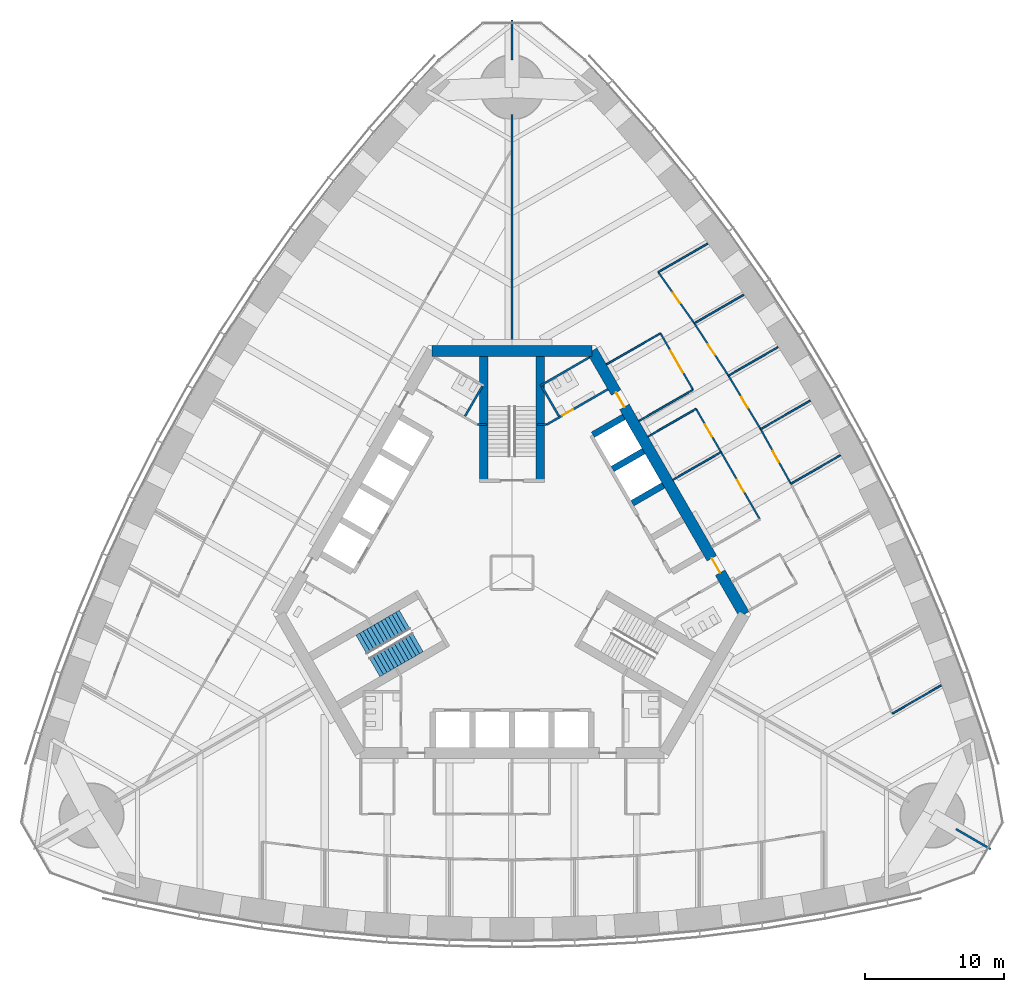
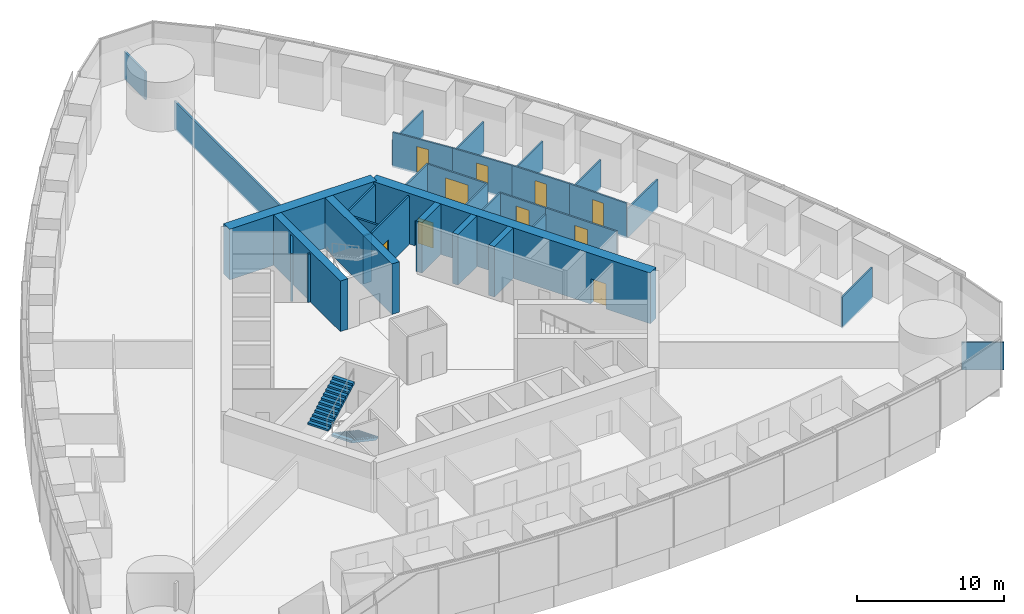
# One storey, part 14 of 20: 33 walls, 10 doors, 2 stair flights, 10 openings, 1 element without a shape of its own.
"""IFC4 building model written with IfcOpenShell, lengths in metres."""

from ifc_helpers import new_model, si_unit, direction, frame, frame_2d, origin, place, context, subcontext, project, spatial, polyline, rectangle, outline, extrude, material, layer, layer_set, type_object, element, fill, aggregate, save


model = new_model("IFC4")

# Units and contexts
model_context = context("Model", 3, precision=1e-05, world=origin(), true_north=direction((0.0, 1.0)))
body_context = subcontext(model_context, "Body", "Model", "MODEL_VIEW")
ifc_project = project(units=[si_unit("LENGTHUNIT", "METRE"), si_unit("AREAUNIT", "SQUARE_METRE"), si_unit("VOLUMEUNIT", "CUBIC_METRE"), si_unit("PLANEANGLEUNIT", "RADIAN"), si_unit("MASSUNIT", "GRAM", prefix="KILO")], contexts=[model_context])

# Site, building, storey
site_placement = place(None, origin())
site = spatial("IfcSite", under=ifc_project, at=site_placement, CompositionType="ELEMENT")
building_placement = place(site_placement, origin())
building = spatial("IfcBuilding", under=site, at=building_placement, Name="Trefoil Bronze Tower", CompositionType="ELEMENT")
storey_placement = place(building_placement, frame((0.0, 0.0, 103.10009765625)))
storey = spatial("IfcBuildingStorey", under=building, at=storey_placement, Name="L23", CompositionType="ELEMENT", Elevation=103.10009765625)

# Wall, openings, doors
ifc_material_1 = material(Name="Concrete B80", Category="concrete")
ifc_layer_1 = layer(ifc_material_1, 0.800048828125)
ifc_layer_set_1 = layer_set([ifc_layer_1], Name="Core wall 800")
wall_type_1 = type_object("IfcWallType", Name="Core wall 800", PredefinedType="SHEAR", material=ifc_layer_set_1)
wall_1_placement = place(storey_placement, frame((16.7431640625, -3.0, 0.0), z_axis=(0.0, 0.0, 1.0), x_axis=(-0.500002442456, 0.866023993627, 0.0)))
wall_1 = element("IfcWall", 1, at=wall_1_placement, inside=storey, type_object=wall_type_1, Name="Core long wall 2 L23", PredefinedType="SHEAR", context=body_context, shape_type="SweptSolid", body=[
    extrude(rectangle(XDim=21.939453125, YDim=0.800048828125, at=frame_2d((10.9697265625, 0.0))), origin(), (0.0, 0.0, 1.0), 4.199951171875),
])
opening_1_placement = place(wall_1_placement, frame((17.269775390625, 0.0, 0.0)))
opening_1 = element("IfcOpeningElement", 2, at=opening_1_placement, cuts=wall_1, Name="Opening D2", PredefinedType="OPENING", context=body_context, shape_type="SweptSolid", body=[
    extrude(rectangle(XDim=1.199951171875, YDim=2.10009765625, at=frame_2d((0.60009765625, 1.050048828125))), frame((0.0, 0.409912109375, 0.0), z_axis=(0.0, -1.0, 0.0), x_axis=(1.0, 0.0, 0.0)), (0.0, 0.0, 1.0), 0.820068359375),
])
opening_2_placement = place(wall_1_placement, frame((3.4697265625, 0.0, 0.0)))
opening_2 = element("IfcOpeningElement", 3, at=opening_2_placement, cuts=wall_1, Name="Opening D2", PredefinedType="OPENING", context=body_context, shape_type="SweptSolid", body=[
    extrude(rectangle(XDim=1.199951171875, YDim=2.10009765625, at=frame_2d((0.60009765625, 1.050048828125))), frame((0.0, 0.409912109375, 0.0), z_axis=(0.0, -1.0, 0.0), x_axis=(1.0, 0.0, 0.0)), (0.0, 0.0, 1.0), 0.820068359375),
])
ifc_material_2 = material(Name="Steel door", Category="steel")
door_type_1 = type_object("IfcDoorType", Name="Lobby door 1200", OperationType="SINGLE_SWING_RIGHT", PredefinedType="DOOR", material=ifc_material_2)
door_1_placement = place(opening_1_placement, origin())
door_1 = element("IfcDoor", 4, at=door_1_placement, inside=storey, type_object=door_type_1, Name="Lobby door F2+ L23", OperationType="SINGLE_SWING_RIGHT", OverallHeight=2.10009765625, OverallWidth=1.199951171875, PredefinedType="DOOR", context=body_context, shape_type="SweptSolid", body=[
    extrude(rectangle(XDim=1.199951171875, YDim=2.10009765625, at=frame_2d((0.60009765625, 1.050048828125))), frame((0.0, 0.02490234375, 0.0), z_axis=(0.0, -1.0, 0.0), x_axis=(1.0, 0.0, 0.0)), (0.0, 0.0, 1.0), 0.050048828125),
])
fill(opening_1, door_1)
door_2_placement = place(opening_2_placement, origin())
door_2 = element("IfcDoor", 5, at=door_2_placement, inside=storey, type_object=door_type_1, Name="Lobby door F2- L23", OperationType="SINGLE_SWING_LEFT", OverallHeight=2.10009765625, OverallWidth=1.199951171875, PredefinedType="DOOR", context=body_context, shape_type="SweptSolid", body=[
    extrude(rectangle(XDim=1.199951171875, YDim=2.10009765625, at=frame_2d((0.60009765625, 1.050048828125))), frame((0.0, 0.02490234375, 0.0), z_axis=(0.0, -1.0, 0.0), x_axis=(1.0, 0.0, 0.0)), (0.0, 0.0, 1.0), 0.050048828125),
])
fill(opening_2, door_2)

# Wall
wall_2_placement = place(storey_placement, frame((5.7734375, 16.0, 0.0), z_axis=(0.0, 0.0, 1.0), x_axis=(-1.0, 0.0, 0.0)))
element("IfcWall", 6, at=wall_2_placement, inside=storey, type_object=wall_type_1, Name="Core short wall 2 L23", PredefinedType="SHEAR", context=body_context, shape_type="SweptSolid", body=[
    extrude(rectangle(XDim=11.546875, YDim=0.800048828125, at=frame_2d((5.7734375, 0.0))), origin(), (0.0, 0.0, 1.0), 4.199951171875),
])

# Wall, opening, door
ifc_material_3 = material(Name="Glazed partition", Category="glass")
ifc_layer_2 = layer(ifc_material_3, 0.1201171875)
ifc_layer_set_2 = layer_set([ifc_layer_2], Name="Glazed partition 120")
wall_type_2 = type_object("IfcWallType", Name="Glazed partition 120", PredefinedType="PARTITIONING", material=ifc_layer_set_2)
wall_3_placement = place(storey_placement, frame((13.0517578125, 13.193603515625, 0.0), z_axis=(0.0, 0.0, 1.0), x_axis=(-0.499977259774, 0.866038532462, 0.0)))
wall_3 = element("IfcWall", 7, at=wall_3_placement, inside=storey, type_object=wall_type_2, Name="Partition F2 L23", PredefinedType="PARTITIONING", context=body_context, shape_type="SweptSolid", body=[
    extrude(rectangle(XDim=4.699951171875, YDim=0.1201171875, at=frame_2d((2.35009765625, 0.0))), origin(), (0.0, 0.0, 1.0), 2.89990234375),
])
opening_3_placement = place(wall_3_placement, frame((1.449951171875, 0.0, 0.14990234375)))
opening_3 = element("IfcOpeningElement", 8, at=opening_3_placement, cuts=wall_3, Name="Opening D10", PredefinedType="OPENING", context=body_context, shape_type="SweptSolid", body=[
    extrude(rectangle(XDim=1.800048828125, YDim=2.10009765625, at=frame_2d((0.89990234375, 1.050048828125))), frame((0.0, 0.070068359375, 0.0), z_axis=(0.0, -1.0, 0.0), x_axis=(1.0, 0.0, 0.0)), (0.0, 0.0, 1.0), 0.14013671875),
])
ifc_material_4 = material(Name="Timber door", Category="wood")
door_type_2 = type_object("IfcDoorType", Name="Double door 1800", OperationType="DOUBLE_DOOR_SINGLE_SWING", PredefinedType="DOOR", material=ifc_material_4)
door_3_placement = place(opening_3_placement, frame((1.800048828125, 0.0, 0.0), z_axis=(0.0, 0.0, 1.0), x_axis=(-1.0, 0.0, 0.0)))
door_3 = element("IfcDoor", 9, at=door_3_placement, inside=storey, type_object=door_type_2, Name="Reception door F2 L23", OperationType="DOUBLE_DOOR_SINGLE_SWING", OverallHeight=2.10009765625, OverallWidth=1.800048828125, PredefinedType="DOOR", context=body_context, shape_type="SweptSolid", body=[
    extrude(rectangle(XDim=1.800048828125, YDim=2.10009765625, at=frame_2d((0.89990234375, 1.050048828125))), frame((0.0, 0.02490234375, 0.0), z_axis=(0.0, -1.0, 0.0), x_axis=(1.0, 0.0, 0.0)), (0.0, 0.0, 1.0), 0.050048828125),
])
fill(opening_3, door_3)

wall_4_placement = place(storey_placement, frame((15.06884765625, 8.699951171875, 0.0), z_axis=(0.0, 0.0, 1.0), x_axis=(-0.500012057535, 0.866018442252, 0.0)))
wall_4 = element("IfcWall", 10, at=wall_4_placement, inside=storey, type_object=wall_type_2, Name="Partition F2 L23", PredefinedType="PARTITIONING", context=body_context, shape_type="SweptSolid", body=[
    extrude(rectangle(XDim=3.60009765625, YDim=0.1201171875, at=frame_2d((1.800048828125, 0.0))), origin(), (0.0, 0.0, 1.0), 2.89990234375),
])
opening_4_placement = place(wall_4_placement, frame((1.300048828125, 0.0, 0.14990234375)))
opening_4 = element("IfcOpeningElement", 11, at=opening_4_placement, cuts=wall_4, Name="Opening D9", PredefinedType="OPENING", context=body_context, shape_type="SweptSolid", body=[
    extrude(rectangle(XDim=1.0, YDim=2.10009765625, at=frame_2d((0.5, 1.050048828125))), frame((0.0, 0.070068359375, 0.0), z_axis=(0.0, -1.0, 0.0), x_axis=(1.0, 0.0, 0.0)), (0.0, 0.0, 1.0), 0.14013671875),
])
ifc_material_5 = material(Name="Glazed timber door", Category="wood")
door_type_3 = type_object("IfcDoorType", Name="Meeting room door 1000", OperationType="SINGLE_SWING_LEFT", PredefinedType="DOOR", material=ifc_material_5)
door_4_placement = place(opening_4_placement, origin())
door_4 = element("IfcDoor", 12, at=door_4_placement, inside=storey, type_object=door_type_3, Name="Meeting room door F2 L23", OperationType="SINGLE_SWING_LEFT", OverallHeight=2.10009765625, OverallWidth=1.0, PredefinedType="DOOR", context=body_context, shape_type="SweptSolid", body=[
    extrude(rectangle(XDim=1.0, YDim=2.10009765625, at=frame_2d((0.5, 1.050048828125))), frame((0.0, 0.02490234375, 0.0), z_axis=(0.0, -1.0, 0.0), x_axis=(1.0, 0.0, 0.0)), (0.0, 0.0, 1.0), 0.050048828125),
])
fill(opening_4, door_4)

wall_5_placement = place(storey_placement, frame((17.868896484375, 3.850341796875, 0.0), z_axis=(0.0, 0.0, 1.0), x_axis=(-0.500016814911, 0.866015695474, 0.0)))
wall_5 = element("IfcWall", 13, at=wall_5_placement, inside=storey, type_object=wall_type_2, Name="Partition F2 L23", PredefinedType="PARTITIONING", context=body_context, shape_type="SweptSolid", body=[
    extrude(rectangle(XDim=5.599853515625, YDim=0.1201171875, at=frame_2d((2.7998046875, 0.0))), origin(), (0.0, 0.0, 1.0), 2.89990234375),
])
opening_5_placement = place(wall_5_placement, frame((2.300048828125, 0.0, 0.14990234375)))
opening_5 = element("IfcOpeningElement", 14, at=opening_5_placement, cuts=wall_5, Name="Opening D9", PredefinedType="OPENING", context=body_context, shape_type="SweptSolid", body=[
    extrude(rectangle(XDim=1.0, YDim=2.10009765625, at=frame_2d((0.5, 1.050048828125))), frame((0.0, 0.070068359375, 0.0), z_axis=(0.0, -1.0, 0.0), x_axis=(1.0, 0.0, 0.0)), (0.0, 0.0, 1.0), 0.14013671875),
])
door_5_placement = place(opening_5_placement, origin())
door_5 = element("IfcDoor", 15, at=door_5_placement, inside=storey, type_object=door_type_3, Name="Meeting room door F2 L23", OperationType="SINGLE_SWING_RIGHT", OverallHeight=2.10009765625, OverallWidth=1.0, PredefinedType="DOOR", context=body_context, shape_type="SweptSolid", body=[
    extrude(rectangle(XDim=1.0, YDim=2.10009765625, at=frame_2d((0.5, 1.050048828125))), frame((0.0, 0.02490234375, 0.0), z_axis=(0.0, -1.0, 0.0), x_axis=(1.0, 0.0, 0.0)), (0.0, 0.0, 1.0), 0.050048828125),
])
fill(opening_5, door_5)

# Walls
wall_6_placement = place(storey_placement, frame((9.8046875, 9.817626953125, 0.0), z_axis=(0.0, 0.0, 1.0), x_axis=(0.866026010844, 0.49999894854, 0.0)))
element("IfcWall", 16, at=wall_6_placement, inside=storey, type_object=wall_type_2, Name="Partition F2 L23", PredefinedType="PARTITIONING", context=body_context, shape_type="SweptSolid", body=[
    extrude(rectangle(XDim=4.0, YDim=0.1201171875, at=frame_2d((2.0, 0.0))), origin(), (0.0, 0.0, 1.0), 2.89990234375),
])
wall_7_placement = place(storey_placement, frame((9.15478515625, 10.943603515625, 0.0), z_axis=(0.0, 0.0, 1.0), x_axis=(0.866017533419, 0.500013631625, 0.0)))
element("IfcWall", 17, at=wall_7_placement, inside=storey, type_object=wall_type_2, Name="Partition F2 L23", PredefinedType="PARTITIONING", context=body_context, shape_type="SweptSolid", body=[
    extrude(rectangle(XDim=4.499755859375, YDim=0.1201171875, at=frame_2d((2.25, 0.0))), origin(), (0.0, 0.0, 1.0), 2.89990234375),
])
wall_8_placement = place(storey_placement, frame((6.8046875, 15.013916015625, 0.0), z_axis=(0.0, 0.0, 1.0), x_axis=(0.866031096941, 0.499990139034, 0.0)))
element("IfcWall", 18, at=wall_8_placement, inside=storey, type_object=wall_type_2, Name="Partition F2 L23", PredefinedType="PARTITIONING", context=body_context, shape_type="SweptSolid", body=[
    extrude(rectangle(XDim=4.5, YDim=0.1201171875, at=frame_2d((2.25, 0.0))), origin(), (0.0, 0.0, 1.0), 2.89990234375),
])
wall_9_placement = place(storey_placement, frame((11.604736328125, 6.699951171875, 0.0), z_axis=(0.0, 0.0, 1.0), x_axis=(0.866026010844, 0.49999894854, 0.0)))
element("IfcWall", 19, at=wall_9_placement, inside=storey, type_object=wall_type_2, Name="Partition F2 L23", PredefinedType="PARTITIONING", context=body_context, shape_type="SweptSolid", body=[
    extrude(rectangle(XDim=4.0, YDim=0.1201171875, at=frame_2d((2.0, 0.0))), origin(), (0.0, 0.0, 1.0), 2.39990234375),
])

# Wall, opening, door
wall_10_placement = place(storey_placement, frame((17.926513671875, 10.349853515625, 0.0), z_axis=(0.0, 0.0, 1.0), x_axis=(-0.515548366618, 0.856860479703, 0.0)))
wall_10 = element("IfcWall", 20, at=wall_10_placement, inside=storey, type_object=wall_type_2, Name="Partition F2 L23", PredefinedType="PARTITIONING", context=body_context, shape_type="SweptSolid", body=[
    extrude(rectangle(XDim=4.500732421875, YDim=0.1201171875, at=frame_2d((2.25048828125, 0.0))), origin(), (0.0, 0.0, 1.0), 2.89990234375),
])
opening_6_placement = place(wall_10_placement, frame((1.800048828125, 0.0, 0.14990234375)))
opening_6 = element("IfcOpeningElement", 21, at=opening_6_placement, cuts=wall_10, Name="Opening D8", PredefinedType="OPENING", context=body_context, shape_type="SweptSolid", body=[
    extrude(rectangle(XDim=0.89990234375, YDim=2.10009765625, at=frame_2d((0.449951171875, 1.050048828125))), frame((0.0, 0.070068359375, 0.0), z_axis=(0.0, -1.0, 0.0), x_axis=(1.0, 0.0, 0.0)), (0.0, 0.0, 1.0), 0.14013671875),
])
ifc_material_6 = material(Name="Timber door", Category="wood")
door_type_4 = type_object("IfcDoorType", Name="Office door 900", OperationType="SINGLE_SWING_LEFT", PredefinedType="DOOR", material=ifc_material_6)
door_6_placement = place(opening_6_placement, frame((0.89990234375, 0.0, 0.0), z_axis=(0.0, 0.0, 1.0), x_axis=(-1.0, 0.0, 0.0)))
door_6 = element("IfcDoor", 22, at=door_6_placement, inside=storey, type_object=door_type_4, Name="Office door F2 L23", OperationType="SINGLE_SWING_RIGHT", OverallHeight=2.10009765625, OverallWidth=0.89990234375, PredefinedType="DOOR", context=body_context, shape_type="SweptSolid", body=[
    extrude(rectangle(XDim=0.89990234375, YDim=2.10009765625, at=frame_2d((0.449951171875, 1.050048828125))), frame((0.0, 0.02490234375, 0.0), z_axis=(0.0, -1.0, 0.0), x_axis=(1.0, 0.0, 0.0)), (0.0, 0.0, 1.0), 0.050048828125),
])
fill(opening_6, door_6)

wall_11_placement = place(storey_placement, frame((15.606201171875, 14.206298828125, 0.0), z_axis=(0.0, 0.0, 1.0), x_axis=(-0.546069464151, 0.837739900161, 0.0)))
wall_11 = element("IfcWall", 23, at=wall_11_placement, inside=storey, type_object=wall_type_2, Name="Partition F2 L23", PredefinedType="PARTITIONING", context=body_context, shape_type="SweptSolid", body=[
    extrude(rectangle(XDim=4.506591796875, YDim=0.1201171875, at=frame_2d((2.25341796875, 0.0))), origin(), (0.0, 0.0, 1.0), 2.89990234375),
])
opening_7_placement = place(wall_11_placement, frame((1.800048828125, 0.0, 0.14990234375)))
opening_7 = element("IfcOpeningElement", 24, at=opening_7_placement, cuts=wall_11, Name="Opening D8", PredefinedType="OPENING", context=body_context, shape_type="SweptSolid", body=[
    extrude(rectangle(XDim=0.89990234375, YDim=2.10009765625, at=frame_2d((0.449951171875, 1.050048828125))), frame((0.0, 0.070068359375, 0.0), z_axis=(0.0, -1.0, 0.0), x_axis=(1.0, 0.0, 0.0)), (0.0, 0.0, 1.0), 0.14013671875),
])
door_7_placement = place(opening_7_placement, frame((0.89990234375, 0.0, 0.0), z_axis=(0.0, 0.0, 1.0), x_axis=(-1.0, 0.0, 0.0)))
door_7 = element("IfcDoor", 25, at=door_7_placement, inside=storey, type_object=door_type_4, Name="Office door F2 L23", OperationType="SINGLE_SWING_RIGHT", OverallHeight=2.10009765625, OverallWidth=0.89990234375, PredefinedType="DOOR", context=body_context, shape_type="SweptSolid", body=[
    extrude(rectangle(XDim=0.89990234375, YDim=2.10009765625, at=frame_2d((0.449951171875, 1.050048828125))), frame((0.0, 0.02490234375, 0.0), z_axis=(0.0, -1.0, 0.0), x_axis=(1.0, 0.0, 0.0)), (0.0, 0.0, 1.0), 0.050048828125),
])
fill(opening_7, door_7)

wall_12_placement = place(storey_placement, frame((13.145263671875, 17.981689453125, 0.0), z_axis=(0.0, 0.0, 1.0), x_axis=(-0.575987178736, 0.817458726745, 0.0)))
wall_12 = element("IfcWall", 26, at=wall_12_placement, inside=storey, type_object=wall_type_2, Name="Partition F2 L23", PredefinedType="PARTITIONING", context=body_context, shape_type="SweptSolid", body=[
    extrude(rectangle(XDim=4.518310546875, YDim=0.1201171875, at=frame_2d((2.25927734375, 0.0))), origin(), (0.0, 0.0, 1.0), 2.89990234375),
])
opening_8_placement = place(wall_12_placement, frame((1.800048828125, 0.0, 0.14990234375)))
opening_8 = element("IfcOpeningElement", 27, at=opening_8_placement, cuts=wall_12, Name="Opening D8", PredefinedType="OPENING", context=body_context, shape_type="SweptSolid", body=[
    extrude(rectangle(XDim=0.89990234375, YDim=2.10009765625, at=frame_2d((0.449951171875, 1.050048828125))), frame((0.0, 0.070068359375, 0.0), z_axis=(0.0, -1.0, 0.0), x_axis=(1.0, 0.0, 0.0)), (0.0, 0.0, 1.0), 0.14013671875),
])
door_8_placement = place(opening_8_placement, frame((0.89990234375, 0.0, 0.0), z_axis=(0.0, 0.0, 1.0), x_axis=(-1.0, 0.0, 0.0)))
door_8 = element("IfcDoor", 28, at=door_8_placement, inside=storey, type_object=door_type_4, Name="Office door F2 L23", OperationType="SINGLE_SWING_RIGHT", OverallHeight=2.10009765625, OverallWidth=0.89990234375, PredefinedType="DOOR", context=body_context, shape_type="SweptSolid", body=[
    extrude(rectangle(XDim=0.89990234375, YDim=2.10009765625, at=frame_2d((0.449951171875, 1.050048828125))), frame((0.0, 0.02490234375, 0.0), z_axis=(0.0, -1.0, 0.0), x_axis=(1.0, 0.0, 0.0)), (0.0, 0.0, 1.0), 0.050048828125),
])
fill(opening_8, door_8)

wall_13_placement = place(storey_placement, frame((20.106201171875, 6.412109375, 0.0), z_axis=(0.0, 0.0, 1.0), x_axis=(-0.484292898211, 0.874905931368, 0.0)))
wall_13 = element("IfcWall", 29, at=wall_13_placement, inside=storey, type_object=wall_type_2, Name="Partition F2 L23", PredefinedType="PARTITIONING", context=body_context, shape_type="SweptSolid", body=[
    extrude(rectangle(XDim=4.500732421875, YDim=0.1201171875, at=frame_2d((2.25048828125, 0.0))), origin(), (0.0, 0.0, 1.0), 2.89990234375),
])
opening_9_placement = place(wall_13_placement, frame((1.800048828125, 0.0, 0.14990234375)))
opening_9 = element("IfcOpeningElement", 30, at=opening_9_placement, cuts=wall_13, Name="Opening D8", PredefinedType="OPENING", context=body_context, shape_type="SweptSolid", body=[
    extrude(rectangle(XDim=0.89990234375, YDim=2.10009765625, at=frame_2d((0.449951171875, 1.050048828125))), frame((0.0, 0.070068359375, 0.0), z_axis=(0.0, -1.0, 0.0), x_axis=(1.0, 0.0, 0.0)), (0.0, 0.0, 1.0), 0.14013671875),
])
door_9_placement = place(opening_9_placement, frame((0.89990234375, 0.0, 0.0), z_axis=(0.0, 0.0, 1.0), x_axis=(-1.0, 0.0, 0.0)))
door_9 = element("IfcDoor", 31, at=door_9_placement, inside=storey, type_object=door_type_4, Name="Office door F2 L23", OperationType="SINGLE_SWING_RIGHT", OverallHeight=2.10009765625, OverallWidth=0.89990234375, PredefinedType="DOOR", context=body_context, shape_type="SweptSolid", body=[
    extrude(rectangle(XDim=0.89990234375, YDim=2.10009765625, at=frame_2d((0.449951171875, 1.050048828125))), frame((0.0, 0.02490234375, 0.0), z_axis=(0.0, -1.0, 0.0), x_axis=(1.0, 0.0, 0.0)), (0.0, 0.0, 1.0), 0.050048828125),
])
fill(opening_9, door_9)

# Walls
wall_14_placement = place(storey_placement, frame((17.926513671875, 10.349853515625, 0.0), z_axis=(0.0, 0.0, 1.0), x_axis=(0.866009926209, 0.50002680699, 0.0)))
element("IfcWall", 32, at=wall_14_placement, inside=storey, type_object=wall_type_2, Name="Partition F2 L23", PredefinedType="PARTITIONING", context=body_context, shape_type="SweptSolid", body=[
    extrude(rectangle(XDim=4.119873046875, YDim=0.1201171875, at=frame_2d((2.06005859375, 0.0))), origin(), (0.0, 0.0, 1.0), 2.39990234375),
])
wall_15_placement = place(storey_placement, frame((10.542724609375, 21.67529296875, 0.0), z_axis=(0.0, 0.0, 1.0), x_axis=(0.866019409031, 0.500010383074, 0.0)))
element("IfcWall", 33, at=wall_15_placement, inside=storey, type_object=wall_type_2, Name="Partition F2 L23", PredefinedType="PARTITIONING", context=body_context, shape_type="SweptSolid", body=[
    extrude(rectangle(XDim=4.1103515625, YDim=0.1201171875, at=frame_2d((2.05517578125, 0.0))), origin(), (0.0, 0.0, 1.0), 2.199951171875),
])
wall_16_placement = place(storey_placement, frame((15.606201171875, 14.206298828125, 0.0), z_axis=(0.0, 0.0, 1.0), x_axis=(0.866016800201, 0.500014901547, 0.0)))
element("IfcWall", 34, at=wall_16_placement, inside=storey, type_object=wall_type_2, Name="Partition F2 L23", PredefinedType="PARTITIONING", context=body_context, shape_type="SweptSolid", body=[
    extrude(rectangle(XDim=4.118896484375, YDim=0.1201171875, at=frame_2d((2.0595703125, 0.0))), origin(), (0.0, 0.0, 1.0), 2.39990234375),
])
wall_17_placement = place(storey_placement, frame((13.145263671875, 17.981689453125, 0.0), z_axis=(0.0, 0.0, 1.0), x_axis=(0.866018637367, 0.500011719595, 0.0)))
element("IfcWall", 35, at=wall_17_placement, inside=storey, type_object=wall_type_2, Name="Partition F2 L23", PredefinedType="PARTITIONING", context=body_context, shape_type="SweptSolid", body=[
    extrude(rectangle(XDim=4.11572265625, YDim=0.1201171875, at=frame_2d((2.057861328125, 0.0))), origin(), (0.0, 0.0, 1.0), 2.599853515625),
])
wall_18_placement = place(storey_placement, frame((27.406494140625, -10.15771484375, 0.0), z_axis=(0.0, 0.0, 1.0), x_axis=(0.86601374377, 0.500020195194, 0.0)))
element("IfcWall", 36, at=wall_18_placement, inside=storey, type_object=wall_type_2, Name="Partition F2 L23", PredefinedType="PARTITIONING", context=body_context, shape_type="SweptSolid", body=[
    extrude(rectangle(XDim=4.093017578125, YDim=0.1201171875, at=frame_2d((2.04638671875, 0.0))), origin(), (0.0, 0.0, 1.0), 2.599853515625),
])
wall_19_placement = place(storey_placement, frame((20.106201171875, 6.412109375, 0.0), z_axis=(0.0, 0.0, 1.0), x_axis=(0.866016800201, 0.500014901547, 0.0)))
element("IfcWall", 37, at=wall_19_placement, inside=storey, type_object=wall_type_2, Name="Partition F2 L23", PredefinedType="PARTITIONING", context=body_context, shape_type="SweptSolid", body=[
    extrude(rectangle(XDim=4.118896484375, YDim=0.1201171875, at=frame_2d((2.0595703125, 0.0))), origin(), (0.0, 0.0, 1.0), 2.39990234375),
])
ifc_material_7 = material(Name="Concrete B80", Category="concrete")
ifc_layer_3 = layer(ifc_material_7, 0.449951171875)
ifc_layer_set_3 = layer_set([ifc_layer_3], Name="Outrigger shaft wall 450")
wall_type_3 = type_object("IfcWallType", Name="Outrigger shaft wall 450", PredefinedType="SHEAR", material=ifc_layer_set_3)
for number, where, z_axis, x_axis, name in (
    (38, (8.681884765625, 5.012451171875, 0.0), (0.0, 0.0, 1.0), (0.866005588531, 0.500034319456, 0.0), "Lift shaft side wall B2 L23"),
    (39, (7.2568359375, 7.480712890625, 0.0), (0.0, 0.0, 1.0), (0.866046643894, 0.499963209246, 0.0), "Lift shaft side wall B3 L23"),
):
    element("IfcWall", number, at=place(storey_placement, frame(where, z_axis=z_axis, x_axis=x_axis)), inside=storey, type_object=wall_type_3, Name=name, PredefinedType="SHEAR", context=body_context, shape_type="SweptSolid", body=[
        extrude(rectangle(XDim=2.574951171875, YDim=0.449951171875, at=frame_2d((1.28759765625, 0.0))), origin(), (0.0, 0.0, 1.0), 4.199951171875),
    ])
wall_20_placement = place(storey_placement, frame((5.831787109375, 9.94873046875, 0.0), z_axis=(0.0, 0.0, 1.0), x_axis=(0.866029291668, 0.499993265928, 0.0)))
element("IfcWall", 40, at=wall_20_placement, inside=storey, type_object=wall_type_3, Name="Lift shaft side wall B4 L23", PredefinedType="SHEAR", context=body_context, shape_type="SweptSolid", body=[
    extrude(rectangle(XDim=2.5751953125, YDim=0.449951171875, at=frame_2d((1.28759765625, 0.0))), origin(), (0.0, 0.0, 1.0), 4.199951171875),
])

# Wall, opening, door
ifc_material_8 = material(Name="Gypsum board on steel studs", Category="steel")
ifc_layer_4 = layer(ifc_material_8, 0.14990234375)
ifc_layer_set_4 = layer_set([ifc_layer_4], Name="Partition 150")
wall_type_4 = type_object("IfcWallType", Name="Partition 150", PredefinedType="PARTITIONING", material=ifc_layer_set_4)
wall_21_placement = place(storey_placement, frame((2.4951171875, 10.67822265625, 0.0), z_axis=(0.0, 0.0, 1.0), x_axis=(0.86602216432, 0.500005610874, 0.0)))
wall_21 = element("IfcWall", 41, at=wall_21_placement, inside=storey, type_object=wall_type_4, Name="Passage wall F2+ L23", PredefinedType="PARTITIONING", context=body_context, shape_type="SweptSolid", body=[
    extrude(rectangle(XDim=5.10009765625, YDim=0.14990234375, at=frame_2d((2.550048828125, 0.0))), origin(), (0.0, 0.0, 1.0), 4.0),
])
opening_10_placement = place(wall_21_placement, frame((1.300048828125, 0.0, 0.0)))
opening_10 = element("IfcOpeningElement", 42, at=opening_10_placement, cuts=wall_21, Name="Opening D3", PredefinedType="OPENING", context=body_context, shape_type="SweptSolid", body=[
    extrude(rectangle(XDim=0.89990234375, YDim=2.10009765625, at=frame_2d((0.449951171875, 1.050048828125))), frame((0.0, 0.0849609375, 0.0), z_axis=(0.0, -1.0, 0.0), x_axis=(1.0, 0.0, 0.0)), (0.0, 0.0, 1.0), 0.169921875),
])
ifc_material_9 = material(Name="Timber door", Category="wood")
door_type_5 = type_object("IfcDoorType", Name="WC door 900", OperationType="SINGLE_SWING_LEFT", PredefinedType="DOOR", material=ifc_material_9)
door_10_placement = place(opening_10_placement, origin())
door_10 = element("IfcDoor", 43, at=door_10_placement, inside=storey, type_object=door_type_5, Name="WC (men) door L23", OperationType="SINGLE_SWING_LEFT", OverallHeight=2.10009765625, OverallWidth=0.89990234375, PredefinedType="DOOR", context=body_context, shape_type="SweptSolid", body=[
    extrude(rectangle(XDim=0.89990234375, YDim=2.10009765625, at=frame_2d((0.449951171875, 1.050048828125))), frame((0.0, 0.02490234375, 0.0), z_axis=(0.0, -1.0, 0.0), x_axis=(1.0, 0.0, 0.0)), (0.0, 0.0, 1.0), 0.050048828125),
])
fill(opening_10, door_10)

# Walls
for number, where, z_axis, x_axis, name in (
    (44, (2.4951171875, 10.67822265625, 0.0), (0.0, 0.0, 1.0), (-1.0, 0.0, 0.0), "WC wall ST2-1 L23"),
    (45, (-2.4951171875, 10.67822265625, 0.0), (0.0, 0.0, 1.0), (1.0, 0.0, 0.0), "WC wall ST2+1 L23"),
):
    element("IfcWall", number, at=place(storey_placement, frame(where, z_axis=z_axis, x_axis=x_axis)), inside=storey, type_object=wall_type_4, Name=name, PredefinedType="PARTITIONING", context=body_context, shape_type="SweptSolid", body=[
        extrude(rectangle(XDim=0.64501953125, YDim=0.14990234375, at=frame_2d((0.322509765625, 0.0))), origin(), (0.0, 0.0, 1.0), 4.0),
    ])
wall_22_placement = place(storey_placement, frame((2.03125, 13.48193359375, 0.0), z_axis=(0.0, 0.0, 1.0), x_axis=(0.866050731258, 0.499956128963, 0.0)))
element("IfcWall", 46, at=wall_22_placement, inside=storey, type_object=wall_type_4, Name="WC partition WC (men) L23", PredefinedType="PARTITIONING", context=body_context, shape_type="SweptSolid", body=[
    extrude(rectangle(XDim=4.099853515625, YDim=0.14990234375, at=frame_2d((2.0498046875, 0.0))), origin(), (0.0, 0.0, 1.0), 4.0),
])
for number, where, z_axis, x_axis, name in (
    (47, (3.388671875, 11.28076171875, 0.0), (0.0, 0.0, 1.0), (-0.499989096993, 0.866031698547, 0.0), "WC partition WC (men) L23"),
    (48, (-3.388671875, 11.28076171875, 0.0), (0.0, 0.0, 1.0), (0.499989096993, 0.866031698547, 0.0), "WC partition WC (women) L23"),
):
    element("IfcWall", number, at=place(storey_placement, frame(where, z_axis=z_axis, x_axis=x_axis)), inside=storey, type_object=wall_type_4, Name=name, PredefinedType="PARTITIONING", context=body_context, shape_type="SweptSolid", body=[
        extrude(rectangle(XDim=2.509765625, YDim=0.14990234375, at=frame_2d((1.2548828125, 0.0))), origin(), (0.0, 0.0, 1.0), 4.0),
    ])
ifc_material_10 = material(Name="Gypsum board on steel studs", Category="steel")
ifc_layer_5 = layer(ifc_material_10, 0.14990234375)
ifc_layer_set_5 = layer_set([ifc_layer_5], Name="Party wall 150")
wall_type_5 = type_object("IfcWallType", Name="Party wall 150", PredefinedType="PARTITIONING", material=ifc_layer_set_5)
wall_23_placement = place(storey_placement, frame((31.999755859375, -18.47509765625, 0.0), z_axis=(0.0, 0.0, 1.0), x_axis=(0.866042548026, -0.499970304126, 0.0)))
element("IfcWall", 49, at=wall_23_placement, inside=storey, type_object=wall_type_5, Name="Party wall K1 L23", PredefinedType="PARTITIONING", context=body_context, shape_type="SweptSolid", body=[
    extrude(rectangle(XDim=2.899169921875, YDim=0.14990234375, at=frame_2d((1.44970703125, 0.0))), origin(), (0.0, 0.0, 1.0), 2.2998046875),
])
wall_24_placement = place(storey_placement, frame((0.0, 16.39990234375, 0.0), z_axis=(0.0, 0.0, 1.0), x_axis=(0.0, 1.0, 0.0)))
element("IfcWall", 50, at=wall_24_placement, inside=storey, type_object=wall_type_5, Name="Party wall K2 L23", PredefinedType="PARTITIONING", context=body_context, shape_type="SweptSolid", body=[
    extrude(rectangle(XDim=16.650146484375, YDim=0.14990234375, at=frame_2d((8.3251953125, 0.0))), origin(), (0.0, 0.0, 1.0), 2.2998046875),
])
wall_25_placement = place(storey_placement, frame((0.0, 36.949951171875, 0.0), z_axis=(0.0, 0.0, 1.0), x_axis=(0.0, 1.0, 0.0)))
element("IfcWall", 51, at=wall_25_placement, inside=storey, type_object=wall_type_5, Name="Party wall K2 L23", PredefinedType="PARTITIONING", context=body_context, shape_type="SweptSolid", body=[
    extrude(rectangle(XDim=2.8994140625, YDim=0.14990234375, at=frame_2d((1.44970703125, 0.0))), origin(), (0.0, 0.0, 1.0), 2.2998046875),
])
ifc_material_11 = material(Name="Concrete B80", Category="concrete")
ifc_layer_6 = layer(ifc_material_11, 0.60009765625)
ifc_layer_set_6 = layer_set([ifc_layer_6], Name="Stair wall 600")
wall_type_6 = type_object("IfcWallType", Name="Stair wall 600", PredefinedType="SHEAR", material=ifc_layer_set_6)
for number, where, z_axis, x_axis, name in (
    (52, (2.02490234375, 6.52490234375, 0.0), (0.0, 0.0, 1.0), (0.0, 1.0, 0.0), "Stair wall ST2 L23"),
    (53, (-2.02490234375, 6.52490234375, 0.0), (0.0, 0.0, 1.0), (0.0, 1.0, 0.0), "Stair wall ST2 L23"),
):
    element("IfcWall", number, at=place(storey_placement, frame(where, z_axis=z_axis, x_axis=x_axis)), inside=storey, type_object=wall_type_6, Name=name, PredefinedType="SHEAR", context=body_context, shape_type="SweptSolid", body=[
        extrude(rectangle(XDim=9.0751953125, YDim=0.60009765625, at=frame_2d((4.53759765625, 0.0))), origin(), (0.0, 0.0, 1.0), 4.199951171875),
    ])

# Stair, stair flights
ifc_material_12 = material(Name="Precast concrete B80", Category="concrete")
stair_type = type_object("IfcStairType", Name="Exit stair 26 risers", PredefinedType="HALF_TURN_STAIR", material=ifc_material_12)
stair_placement = place(storey_placement, origin())
stair = element("IfcStair", 54, at=stair_placement, inside=storey, type_object=stair_type, Name="Stair ST3 L23", PredefinedType="HALF_TURN_STAIR")
ifc_material_13 = material(Name="Precast concrete B80", Category="concrete")
stair_flight_type = type_object("IfcStairFlightType", Name="Stair flight 1600", PredefinedType="STRAIGHT", material=ifc_material_13)
stair_flight_1_placement = place(storey_placement, frame((-6.803466796875, -4.99609375, 0.0), z_axis=(0.0, 0.0, 1.0), x_axis=(-0.866025403784, -0.5, 0.0)))
stair_flight_1 = element("IfcStairFlight", 55, at=stair_flight_1_placement, type_object=stair_flight_type, Name="ST3 flight 1", NumberOfRisers=13, NumberOfTreads=12, PredefinedType="STRAIGHT", RiserHeight=0.161538462, TreadLength=0.3, context=body_context, shape_type="SweptSolid", body=[
    extrude(outline(polyline([(0.0, 0.0), (0.0, 0.16162109375), (0.300048828125, 0.16162109375), (0.300048828125, 0.322998046875), (0.60009765625, 0.322998046875), (0.60009765625, 0.484619140625), (0.89990234375, 0.484619140625), (0.89990234375, 0.646240234375), (1.199951171875, 0.646240234375), (1.199951171875, 0.8076171875), (1.5, 0.8076171875), (1.5, 0.96923828125), (1.800048828125, 0.96923828125), (1.800048828125, 1.130859375), (2.10009765625, 1.130859375), (2.10009765625, 1.292236328125), (2.39990234375, 1.292236328125), (2.39990234375, 1.453857421875), (2.699951171875, 1.453857421875), (2.699951171875, 1.615478515625), (3.0, 1.615478515625), (3.0, 1.77685546875), (3.300048828125, 1.77685546875), (3.300048828125, 1.9384765625), (3.60009765625, 1.9384765625), (3.60009765625, 2.10009765625), (3.60009765625, 1.768310546875), (0.316162109375, 0.0), (0.0, 0.0)])), frame((0.0, 0.800048828125, 0.0), z_axis=(0.0, -1.0, 0.0), x_axis=(1.0, 0.0, 0.0)), (0.0, 0.0, 1.0), 1.60009765625),
])
stair_flight_2_placement = place(storey_placement, frame((-10.84619140625, -5.19384765625, 2.099853515625), z_axis=(0.0, 0.0, 1.0), x_axis=(0.866025403784, 0.5, 0.0)))
stair_flight_2 = element("IfcStairFlight", 56, at=stair_flight_2_placement, type_object=stair_flight_type, Name="ST3 flight 2", NumberOfRisers=13, NumberOfTreads=12, PredefinedType="STRAIGHT", RiserHeight=0.161538462, TreadLength=0.3, context=body_context, shape_type="SweptSolid", body=[
    extrude(outline(polyline([(0.0, 0.0), (0.0, 0.16162109375), (0.300048828125, 0.16162109375), (0.300048828125, 0.322998046875), (0.60009765625, 0.322998046875), (0.60009765625, 0.484619140625), (0.89990234375, 0.484619140625), (0.89990234375, 0.646240234375), (1.199951171875, 0.646240234375), (1.199951171875, 0.8076171875), (1.5, 0.8076171875), (1.5, 0.96923828125), (1.800048828125, 0.96923828125), (1.800048828125, 1.130859375), (2.10009765625, 1.130859375), (2.10009765625, 1.292236328125), (2.39990234375, 1.292236328125), (2.39990234375, 1.453857421875), (2.699951171875, 1.453857421875), (2.699951171875, 1.615478515625), (3.0, 1.615478515625), (3.0, 1.77685546875), (3.300048828125, 1.77685546875), (3.300048828125, 1.9384765625), (3.60009765625, 1.9384765625), (3.60009765625, 2.10009765625), (3.60009765625, 1.768310546875), (0.316162109375, 0.0), (0.0, 0.0)])), frame((0.0, 0.800048828125, 0.0), z_axis=(0.0, -1.0, 0.0), x_axis=(1.0, 0.0, 0.0)), (0.0, 0.0, 1.0), 1.60009765625),
])
aggregate(stair, [stair_flight_1, stair_flight_2])

save(model, "model.ifc")
